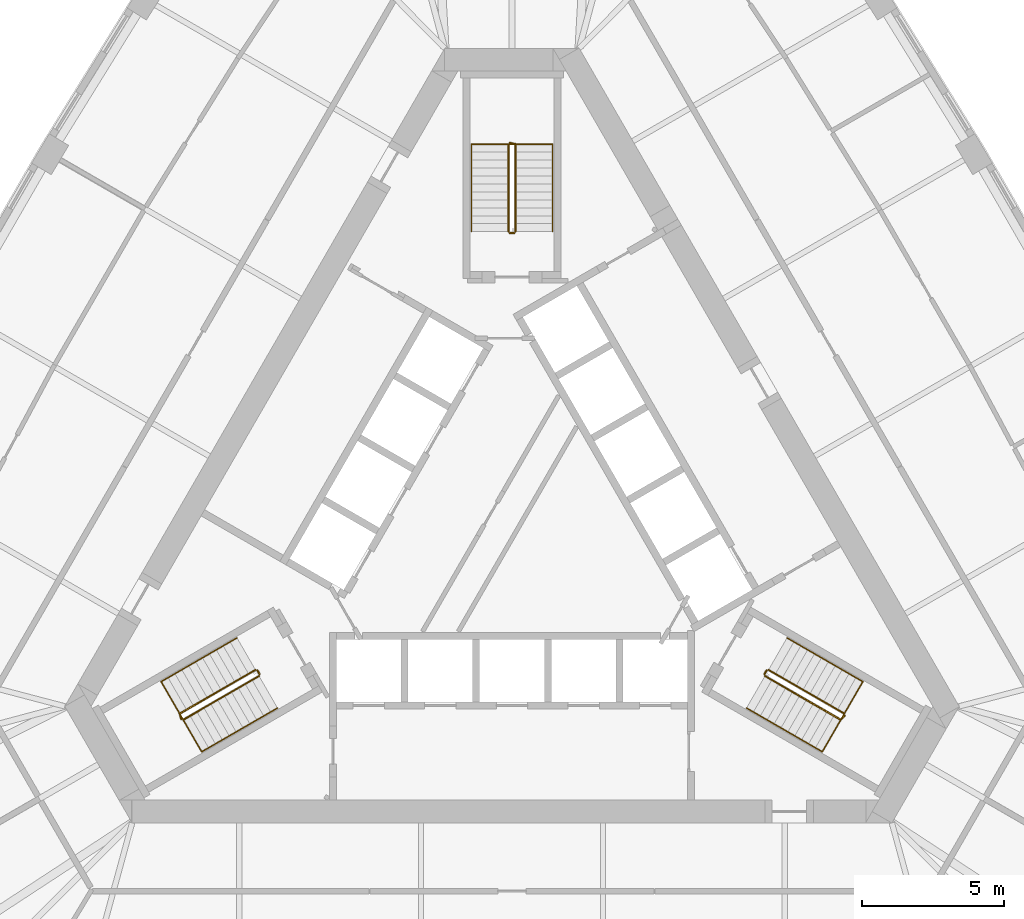
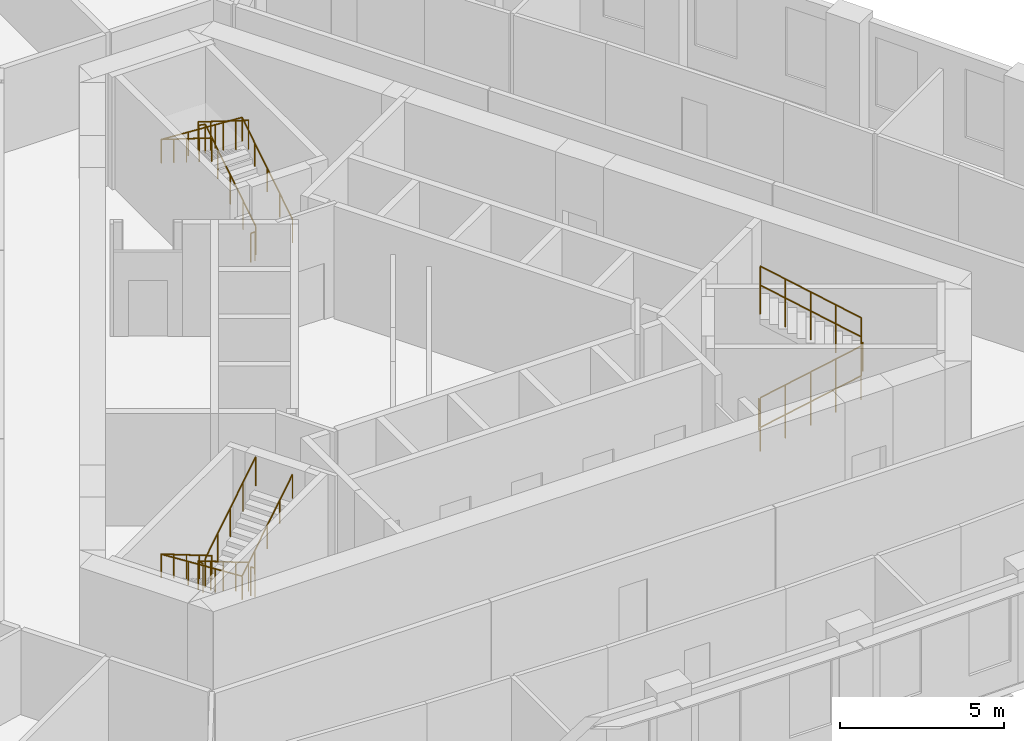
# One storey, part 10 of 10: 12 railings.
"""IFC4 building model written with IfcOpenShell, lengths in metres."""

from ifc_helpers import new_model, si_unit, direction, frame, origin, origin_2d, place, context, subcontext, project, spatial, circle, extrude, material, type_object, element, save


model = new_model("IFC4")

# Units and contexts
model_context = context("Model", 3, precision=1e-05, world=origin(), true_north=direction((0.0, 1.0)))
body_context = subcontext(model_context, "Body", "Model", "MODEL_VIEW")
ifc_project = project(units=[si_unit("LENGTHUNIT", "METRE"), si_unit("AREAUNIT", "SQUARE_METRE"), si_unit("VOLUMEUNIT", "CUBIC_METRE"), si_unit("PLANEANGLEUNIT", "RADIAN"), si_unit("MASSUNIT", "GRAM", prefix="KILO")], contexts=[model_context])

# Site, building, storey
site_placement = place(None, origin())
site = spatial("IfcSite", under=ifc_project, at=site_placement, CompositionType="ELEMENT")
building_placement = place(site_placement, origin())
building = spatial("IfcBuilding", under=site, at=building_placement, Name="Mestral Congress Tower", CompositionType="ELEMENT")
storey_placement = place(building_placement, frame((0.0, 0.0, 150.0)))
storey = spatial("IfcBuildingStorey", under=building, at=storey_placement, Name="L35", CompositionType="ELEMENT", Elevation=150.0)

# Railings
ifc_material_1 = material(Name="Steel balustrade", Category="steel")
railing_type_1 = type_object("IfcRailingType", Name="Stair guard 1100", PredefinedType="GUARDRAIL", material=ifc_material_1)
railing_1_placement = place(storey_placement, frame((8.90087890625, -5.283203125, 0.175048828125)))
element("IfcRailing", 1, at=railing_1_placement, inside=storey, type_object=railing_type_1, Name="L35 ST1 stair guard 1", PredefinedType="GUARDRAIL", context=body_context, shape_type="SweptSolid", body=[
    extrude(circle(Radius=0.02392578125, at=origin_2d()), frame((0.0, 0.0, 1.076171875), z_axis=(0.734364028329, -0.424015404183, 0.530019255228), x_axis=(0.500026652407, 0.866010015463, 0.0)), (0.0, 0.0, 1.0), 3.632080078125),
    extrude(circle(Radius=0.02392578125, at=origin_2d()), frame((2.667236328125, -1.5400390625, 3.0009765625), z_axis=(0.695164929852, 0.718850276695, 0.0), x_axis=(-0.718850276695, 0.695164929852, 0.0)), (0.0, 0.0, 1.0), 0.2060546875),
    extrude(circle(Radius=0.02099609375, at=origin_2d()), origin(), (0.0, 0.0, 1.0), 1.052001953125),
    extrude(circle(Radius=0.02099609375, at=origin_2d()), frame((0.666748046875, -0.385009765625, 0.481201171875)), (0.0, 0.0, 1.0), 1.052001953125),
    extrude(circle(Radius=0.02099609375, at=origin_2d()), frame((1.33349609375, -0.77001953125, 0.96240234375)), (0.0, 0.0, 1.0), 1.052001953125),
    extrude(circle(Radius=0.02099609375, at=origin_2d()), frame((2.00048828125, -1.155029296875, 1.44384765625)), (0.0, 0.0, 1.0), 1.052001953125),
    extrude(circle(Radius=0.02099609375, at=origin_2d()), frame((2.667236328125, -1.5400390625, 1.925048828125)), (0.0, 0.0, 1.0), 1.052001953125),
    extrude(circle(Radius=0.02099609375, at=origin_2d()), frame((2.810546875, -1.391845703125, 1.925048828125)), (0.0, 0.0, 1.0), 1.052001953125),
])
railing_2_placement = place(storey_placement, frame((11.693115234375, -6.606689453125, 2.27490234375)))
element("IfcRailing", 2, at=railing_2_placement, inside=storey, type_object=railing_type_1, Name="L35 ST1 stair guard 2", PredefinedType="GUARDRAIL", context=body_context, shape_type="SweptSolid", body=[
    extrude(circle(Radius=0.02392578125, at=origin_2d()), frame((0.0, 0.0, 1.076171875), z_axis=(-0.734364028329, 0.424015404183, 0.530019255228), x_axis=(-0.500026652407, -0.866010015463, 0.0)), (0.0, 0.0, 1.0), 3.632080078125),
    extrude(circle(Radius=0.02099609375, at=origin_2d()), origin(), (0.0, 0.0, 1.0), 1.052001953125),
    extrude(circle(Radius=0.02099609375, at=origin_2d()), frame((-0.666748046875, 0.385009765625, 0.481201171875)), (0.0, 0.0, 1.0), 1.052001953125),
    extrude(circle(Radius=0.02099609375, at=origin_2d()), frame((-1.33349609375, 0.77001953125, 0.96240234375)), (0.0, 0.0, 1.0), 1.052001953125),
    extrude(circle(Radius=0.02099609375, at=origin_2d()), frame((-2.00048828125, 1.155029296875, 1.44384765625)), (0.0, 0.0, 1.0), 1.052001953125),
    extrude(circle(Radius=0.02099609375, at=origin_2d()), frame((-2.667236328125, 1.5400390625, 1.925048828125)), (0.0, 0.0, 1.0), 1.052001953125),
])
railing_3_placement = place(storey_placement, frame((8.882568359375, -5.21484375, 0.0)))
element("IfcRailing", 3, at=railing_3_placement, inside=storey, type_object=railing_type_1, Name="L35 ST1 stair guard 3", PredefinedType="GUARDRAIL", context=body_context, shape_type="SweptSolid", body=[
    extrude(circle(Radius=0.02392578125, at=origin_2d()), frame((0.0, 0.0, 1.076171875), z_axis=(0.499816412211, 0.866131372301, 0.0), x_axis=(-0.866131372301, 0.499816412211, 0.0)), (0.0, 0.0, 1.0), 0.14990234375),
    extrude(circle(Radius=0.02099609375, at=origin_2d()), origin(), (0.0, 0.0, 1.0), 1.052001953125),
    extrude(circle(Radius=0.02099609375, at=origin_2d()), frame((0.074951171875, 0.1298828125, 0.0)), (0.0, 0.0, 1.0), 1.052001953125),
])
railing_4_placement = place(storey_placement, frame((0.125, 10.35009765625, 0.175048828125)))
element("IfcRailing", 4, at=railing_4_placement, inside=storey, type_object=railing_type_1, Name="L35 ST2 stair guard 1", PredefinedType="GUARDRAIL", context=body_context, shape_type="SweptSolid", body=[
    extrude(circle(Radius=0.02392578125, at=origin_2d()), frame((0.0, 0.0, 1.076171875), z_axis=(0.0, 0.847979421464, 0.530029150871), x_axis=(-1.0, 0.0, 0.0)), (0.0, 0.0, 1.0), 3.632080078125),
    extrude(circle(Radius=0.02392578125, at=origin_2d()), frame((0.0, 3.079833984375, 3.0009765625), z_axis=(-0.970072785993, 0.242814311512, 0.0), x_axis=(-0.242814311512, -0.970072785993, 0.0)), (0.0, 0.0, 1.0), 0.2060546875),
    extrude(circle(Radius=0.02099609375, at=origin_2d()), origin(), (0.0, 0.0, 1.0), 1.052001953125),
    extrude(circle(Radius=0.02099609375, at=origin_2d()), frame((0.0, 0.77001953125, 0.481201171875)), (0.0, 0.0, 1.0), 1.052001953125),
    extrude(circle(Radius=0.02099609375, at=origin_2d()), frame((0.0, 1.5400390625, 0.96240234375)), (0.0, 0.0, 1.0), 1.052001953125),
    extrude(circle(Radius=0.02099609375, at=origin_2d()), frame((0.0, 2.309814453125, 1.44384765625)), (0.0, 0.0, 1.0), 1.052001953125),
    extrude(circle(Radius=0.02099609375, at=origin_2d()), frame((0.0, 3.079833984375, 1.925048828125)), (0.0, 0.0, 1.0), 1.052001953125),
    extrude(circle(Radius=0.02099609375, at=origin_2d()), frame((-0.199951171875, 3.1298828125, 1.925048828125)), (0.0, 0.0, 1.0), 1.052001953125),
])
railing_5_placement = place(storey_placement, frame((-0.125, 13.429931640625, 2.27490234375)))
element("IfcRailing", 5, at=railing_5_placement, inside=storey, type_object=railing_type_1, Name="L35 ST2 stair guard 2", PredefinedType="GUARDRAIL", context=body_context, shape_type="SweptSolid", body=[
    extrude(circle(Radius=0.02392578125, at=origin_2d()), frame((0.0, 0.0, 1.076171875), z_axis=(0.0, -0.847979421464, 0.530029150871), x_axis=(1.0, 0.0, 0.0)), (0.0, 0.0, 1.0), 3.632080078125),
    extrude(circle(Radius=0.02099609375, at=origin_2d()), origin(), (0.0, 0.0, 1.0), 1.052001953125),
    extrude(circle(Radius=0.02099609375, at=origin_2d()), frame((0.0, -0.77001953125, 0.481201171875)), (0.0, 0.0, 1.0), 1.052001953125),
    extrude(circle(Radius=0.02099609375, at=origin_2d()), frame((0.0, -1.5400390625, 0.96240234375)), (0.0, 0.0, 1.0), 1.052001953125),
    extrude(circle(Radius=0.02099609375, at=origin_2d()), frame((0.0, -2.309814453125, 1.44384765625)), (0.0, 0.0, 1.0), 1.052001953125),
    extrude(circle(Radius=0.02099609375, at=origin_2d()), frame((0.0, -3.079833984375, 1.925048828125)), (0.0, 0.0, 1.0), 1.052001953125),
])
railing_6_placement = place(storey_placement, frame((0.074951171875, 10.300048828125, 0.0)))
element("IfcRailing", 6, at=railing_6_placement, inside=storey, type_object=railing_type_1, Name="L35 ST2 stair guard 3", PredefinedType="GUARDRAIL", context=body_context, shape_type="SweptSolid", body=[
    extrude(circle(Radius=0.02392578125, at=origin_2d()), frame((0.0, 0.0, 1.076171875), z_axis=(-1.0, 0.0, 0.0), x_axis=(0.0, -1.0, 0.0)), (0.0, 0.0, 1.0), 0.14990234375),
    extrude(circle(Radius=0.02099609375, at=origin_2d()), origin(), (0.0, 0.0, 1.0), 1.052001953125),
    extrude(circle(Radius=0.02099609375, at=origin_2d()), frame((-0.14990234375, 0.0, 0.0)), (0.0, 0.0, 1.0), 1.052001953125),
])
railing_7_placement = place(storey_placement, frame((-9.02587890625, -5.066650390625, 0.175048828125)))
element("IfcRailing", 7, at=railing_7_placement, inside=storey, type_object=railing_type_1, Name="L35 ST3 stair guard 1", PredefinedType="GUARDRAIL", context=body_context, shape_type="SweptSolid", body=[
    extrude(circle(Radius=0.02392578125, at=origin_2d()), frame((0.0, 0.0, 1.076171875), z_axis=(-0.734364028329, -0.424015404183, 0.530019255228), x_axis=(0.500026652407, -0.866010015463, 0.0)), (0.0, 0.0, 1.0), 3.632080078125),
    extrude(circle(Radius=0.02392578125, at=origin_2d()), frame((-2.667236328125, -1.5400390625, 3.0009765625), z_axis=(0.274721127897, -0.961523947641, 0.0), x_axis=(0.961523947641, 0.274721127897, 0.0)), (0.0, 0.0, 1.0), 0.2060546875),
    extrude(circle(Radius=0.02099609375, at=origin_2d()), origin(), (0.0, 0.0, 1.0), 1.052001953125),
    extrude(circle(Radius=0.02099609375, at=origin_2d()), frame((-0.666748046875, -0.385009765625, 0.481201171875)), (0.0, 0.0, 1.0), 1.052001953125),
    extrude(circle(Radius=0.02099609375, at=origin_2d()), frame((-1.33349609375, -0.77001953125, 0.96240234375)), (0.0, 0.0, 1.0), 1.052001953125),
    extrude(circle(Radius=0.02099609375, at=origin_2d()), frame((-2.00048828125, -1.155029296875, 1.44384765625)), (0.0, 0.0, 1.0), 1.052001953125),
    extrude(circle(Radius=0.02099609375, at=origin_2d()), frame((-2.667236328125, -1.5400390625, 1.925048828125)), (0.0, 0.0, 1.0), 1.052001953125),
    extrude(circle(Radius=0.02099609375, at=origin_2d()), frame((-2.610595703125, -1.73828125, 1.925048828125)), (0.0, 0.0, 1.0), 1.052001953125),
])
railing_8_placement = place(storey_placement, frame((-11.568115234375, -6.8232421875, 2.27490234375)))
element("IfcRailing", 8, at=railing_8_placement, inside=storey, type_object=railing_type_1, Name="L35 ST3 stair guard 2", PredefinedType="GUARDRAIL", context=body_context, shape_type="SweptSolid", body=[
    extrude(circle(Radius=0.02392578125, at=origin_2d()), frame((0.0, 0.0, 1.076171875), z_axis=(0.734364028329, 0.424015404183, 0.530019255228), x_axis=(-0.500026652407, 0.866010015463, 0.0)), (0.0, 0.0, 1.0), 3.632080078125),
    extrude(circle(Radius=0.02099609375, at=origin_2d()), origin(), (0.0, 0.0, 1.0), 1.052001953125),
    extrude(circle(Radius=0.02099609375, at=origin_2d()), frame((0.666748046875, 0.385009765625, 0.481201171875)), (0.0, 0.0, 1.0), 1.052001953125),
    extrude(circle(Radius=0.02099609375, at=origin_2d()), frame((1.33349609375, 0.77001953125, 0.96240234375)), (0.0, 0.0, 1.0), 1.052001953125),
    extrude(circle(Radius=0.02099609375, at=origin_2d()), frame((2.00048828125, 1.155029296875, 1.44384765625)), (0.0, 0.0, 1.0), 1.052001953125),
    extrude(circle(Radius=0.02099609375, at=origin_2d()), frame((2.667236328125, 1.5400390625, 1.925048828125)), (0.0, 0.0, 1.0), 1.052001953125),
])
railing_9_placement = place(storey_placement, frame((-8.95751953125, -5.0849609375, 0.0)))
element("IfcRailing", 9, at=railing_9_placement, inside=storey, type_object=railing_type_1, Name="L35 ST3 stair guard 3", PredefinedType="GUARDRAIL", context=body_context, shape_type="SweptSolid", body=[
    extrude(circle(Radius=0.02392578125, at=origin_2d()), frame((0.0, 0.0, 1.076171875), z_axis=(0.499816412211, -0.866131372301, 0.0), x_axis=(0.866131372301, 0.499816412211, 0.0)), (0.0, 0.0, 1.0), 0.14990234375),
    extrude(circle(Radius=0.02099609375, at=origin_2d()), origin(), (0.0, 0.0, 1.0), 1.052001953125),
    extrude(circle(Radius=0.02099609375, at=origin_2d()), frame((0.074951171875, -0.1298828125, 0.0)), (0.0, 0.0, 1.0), 1.052001953125),
])
ifc_material_2 = material(Name="Steel handrail", Category="steel")
railing_type_2 = type_object("IfcRailingType", Name="Stair handrail 900", PredefinedType="HANDRAIL", material=ifc_material_2)
railing_10_placement = place(storey_placement, frame((8.2509765625, -6.4091796875, 0.175048828125)))
element("IfcRailing", 10, at=railing_10_placement, inside=storey, type_object=railing_type_2, Name="L35 ST1 stair handrail 1", PredefinedType="HANDRAIL", context=body_context, shape_type="SweptSolid", body=[
    extrude(circle(Radius=0.02392578125, at=origin_2d()), frame((0.0, 0.0, 0.8759765625), z_axis=(0.734384958227, -0.423960268333, 0.530034361155), x_axis=(0.499967199496, 0.866044340336, 0.0)), (0.0, 0.0, 1.0), 3.6318359375),
    extrude(circle(Radius=0.02392578125, at=origin_2d()), frame((2.667236328125, -1.539794921875, 2.80078125), z_axis=(0.499098383545, 0.864379914213, 0.061222279016), x_axis=(-0.866004402611, 0.500036373335, 0.0)), (0.0, 0.0, 1.0), 2.855224609375),
    extrude(circle(Radius=0.02392578125, at=origin_2d()), frame((4.09228515625, 0.92822265625, 2.9755859375), z_axis=(-0.734394994316, 0.423994474112, 0.52999309264), x_axis=(-0.499992328818, -0.866029832698, 0.0)), (0.0, 0.0, 1.0), 3.63232421875),
    extrude(circle(Radius=0.02099609375, at=origin_2d()), origin(), (0.0, 0.0, 1.0), 0.851806640625),
    extrude(circle(Radius=0.02099609375, at=origin_2d()), frame((0.666748046875, -0.385009765625, 0.481201171875)), (0.0, 0.0, 1.0), 0.851806640625),
    extrude(circle(Radius=0.02099609375, at=origin_2d()), frame((1.33349609375, -0.77001953125, 0.96240234375)), (0.0, 0.0, 1.0), 0.851806640625),
    extrude(circle(Radius=0.02099609375, at=origin_2d()), frame((2.00048828125, -1.15478515625, 1.44384765625)), (0.0, 0.0, 1.0), 0.851806640625),
    extrude(circle(Radius=0.02099609375, at=origin_2d()), frame((2.667236328125, -1.539794921875, 1.925048828125)), (0.0, 0.0, 1.0), 0.851806640625),
    extrude(circle(Radius=0.02099609375, at=origin_2d()), frame((3.142333984375, -0.717041015625, 1.9833984375)), (0.0, 0.0, 1.0), 0.851806640625),
    extrude(circle(Radius=0.02099609375, at=origin_2d()), frame((3.6171875, 0.10546875, 2.04150390625)), (0.0, 0.0, 1.0), 0.851806640625),
    extrude(circle(Radius=0.02099609375, at=origin_2d()), frame((4.09228515625, 0.92822265625, 2.099853515625)), (0.0, 0.0, 1.0), 0.851806640625),
    extrude(circle(Radius=0.02099609375, at=origin_2d()), frame((3.42529296875, 1.313232421875, 2.5810546875)), (0.0, 0.0, 1.0), 0.851806640625),
    extrude(circle(Radius=0.02099609375, at=origin_2d()), frame((2.758544921875, 1.6982421875, 3.0625)), (0.0, 0.0, 1.0), 0.851806640625),
    extrude(circle(Radius=0.02099609375, at=origin_2d()), frame((2.091796875, 2.083251953125, 3.543701171875)), (0.0, 0.0, 1.0), 0.851806640625),
    extrude(circle(Radius=0.02099609375, at=origin_2d()), frame((1.4248046875, 2.46826171875, 4.02490234375)), (0.0, 0.0, 1.0), 0.851806640625),
])
railing_11_placement = place(storey_placement, frame((1.425048828125, 10.35009765625, 0.175048828125)))
element("IfcRailing", 11, at=railing_11_placement, inside=storey, type_object=railing_type_2, Name="L35 ST2 stair handrail 1", PredefinedType="HANDRAIL", context=body_context, shape_type="SweptSolid", body=[
    extrude(circle(Radius=0.02392578125, at=origin_2d()), frame((0.0, 0.0, 0.8759765625), z_axis=(0.0, 0.847979421464, 0.530029150871), x_axis=(-1.0, 0.0, 0.0)), (0.0, 0.0, 1.0), 3.632080078125),
    extrude(circle(Radius=0.02392578125, at=origin_2d()), frame((0.0, 3.079833984375, 2.80078125), z_axis=(-0.998124429008, 0.0, 0.061217842314), x_axis=(0.0, -1.0, 0.0)), (0.0, 0.0, 1.0), 2.85546875),
    extrude(circle(Radius=0.02392578125, at=origin_2d()), frame((-2.85009765625, 3.079833984375, 2.9755859375), z_axis=(0.0, -0.847979421464, 0.530029150871), x_axis=(1.0, 0.0, 0.0)), (0.0, 0.0, 1.0), 3.632080078125),
    extrude(circle(Radius=0.02099609375, at=origin_2d()), origin(), (0.0, 0.0, 1.0), 0.851806640625),
    extrude(circle(Radius=0.02099609375, at=origin_2d()), frame((0.0, 0.77001953125, 0.481201171875)), (0.0, 0.0, 1.0), 0.851806640625),
    extrude(circle(Radius=0.02099609375, at=origin_2d()), frame((0.0, 1.5400390625, 0.96240234375)), (0.0, 0.0, 1.0), 0.851806640625),
    extrude(circle(Radius=0.02099609375, at=origin_2d()), frame((0.0, 2.309814453125, 1.44384765625)), (0.0, 0.0, 1.0), 0.851806640625),
    extrude(circle(Radius=0.02099609375, at=origin_2d()), frame((0.0, 3.079833984375, 1.925048828125)), (0.0, 0.0, 1.0), 0.851806640625),
    extrude(circle(Radius=0.02099609375, at=origin_2d()), frame((-0.949951171875, 3.079833984375, 1.9833984375)), (0.0, 0.0, 1.0), 0.851806640625),
    extrude(circle(Radius=0.02099609375, at=origin_2d()), frame((-1.900146484375, 3.079833984375, 2.04150390625)), (0.0, 0.0, 1.0), 0.851806640625),
    extrude(circle(Radius=0.02099609375, at=origin_2d()), frame((-2.85009765625, 3.079833984375, 2.099853515625)), (0.0, 0.0, 1.0), 0.851806640625),
    extrude(circle(Radius=0.02099609375, at=origin_2d()), frame((-2.85009765625, 2.309814453125, 2.5810546875)), (0.0, 0.0, 1.0), 0.851806640625),
    extrude(circle(Radius=0.02099609375, at=origin_2d()), frame((-2.85009765625, 1.5400390625, 3.0625)), (0.0, 0.0, 1.0), 0.851806640625),
    extrude(circle(Radius=0.02099609375, at=origin_2d()), frame((-2.85009765625, 0.77001953125, 3.543701171875)), (0.0, 0.0, 1.0), 0.851806640625),
    extrude(circle(Radius=0.02099609375, at=origin_2d()), frame((-2.85009765625, 0.0, 4.02490234375)), (0.0, 0.0, 1.0), 0.851806640625),
])
railing_12_placement = place(storey_placement, frame((-9.67578125, -3.94091796875, 0.175048828125)))
element("IfcRailing", 12, at=railing_12_placement, inside=storey, type_object=railing_type_2, Name="L35 ST3 stair handrail 1", PredefinedType="HANDRAIL", context=body_context, shape_type="SweptSolid", body=[
    extrude(circle(Radius=0.02392578125, at=origin_2d()), frame((0.0, 0.0, 0.8759765625), z_axis=(-0.734394994316, -0.423994474112, 0.52999309264), x_axis=(0.499992328818, -0.866029832698, 0.0)), (0.0, 0.0, 1.0), 3.63232421875),
    extrude(circle(Radius=0.02392578125, at=origin_2d()), frame((-2.66748046875, -1.5400390625, 2.80078125), z_axis=(0.499098383545, -0.864379914213, 0.061222279016), x_axis=(0.866004402611, 0.500036373335, 0.0)), (0.0, 0.0, 1.0), 2.855224609375),
    extrude(circle(Radius=0.02392578125, at=origin_2d()), frame((-1.242431640625, -4.008056640625, 2.9755859375), z_axis=(0.734384958227, 0.423960268333, 0.530034361155), x_axis=(-0.499967199496, 0.866044340336, 0.0)), (0.0, 0.0, 1.0), 3.6318359375),
    extrude(circle(Radius=0.02099609375, at=origin_2d()), origin(), (0.0, 0.0, 1.0), 0.851806640625),
    extrude(circle(Radius=0.02099609375, at=origin_2d()), frame((-0.6669921875, -0.385009765625, 0.481201171875)), (0.0, 0.0, 1.0), 0.851806640625),
    extrude(circle(Radius=0.02099609375, at=origin_2d()), frame((-1.333740234375, -0.77001953125, 0.96240234375)), (0.0, 0.0, 1.0), 0.851806640625),
    extrude(circle(Radius=0.02099609375, at=origin_2d()), frame((-2.00048828125, -1.155029296875, 1.44384765625)), (0.0, 0.0, 1.0), 0.851806640625),
    extrude(circle(Radius=0.02099609375, at=origin_2d()), frame((-2.66748046875, -1.5400390625, 1.925048828125)), (0.0, 0.0, 1.0), 0.851806640625),
    extrude(circle(Radius=0.02099609375, at=origin_2d()), frame((-2.1923828125, -2.36279296875, 1.9833984375)), (0.0, 0.0, 1.0), 0.851806640625),
    extrude(circle(Radius=0.02099609375, at=origin_2d()), frame((-1.717529296875, -3.185302734375, 2.04150390625)), (0.0, 0.0, 1.0), 0.851806640625),
    extrude(circle(Radius=0.02099609375, at=origin_2d()), frame((-1.242431640625, -4.008056640625, 2.099853515625)), (0.0, 0.0, 1.0), 0.851806640625),
    extrude(circle(Radius=0.02099609375, at=origin_2d()), frame((-0.57568359375, -3.623046875, 2.5810546875)), (0.0, 0.0, 1.0), 0.851806640625),
    extrude(circle(Radius=0.02099609375, at=origin_2d()), frame((0.09130859375, -3.23828125, 3.0625)), (0.0, 0.0, 1.0), 0.851806640625),
    extrude(circle(Radius=0.02099609375, at=origin_2d()), frame((0.758056640625, -2.853271484375, 3.543701171875)), (0.0, 0.0, 1.0), 0.851806640625),
    extrude(circle(Radius=0.02099609375, at=origin_2d()), frame((1.4248046875, -2.46826171875, 4.02490234375)), (0.0, 0.0, 1.0), 0.851806640625),
])

save(model, "model.ifc")
